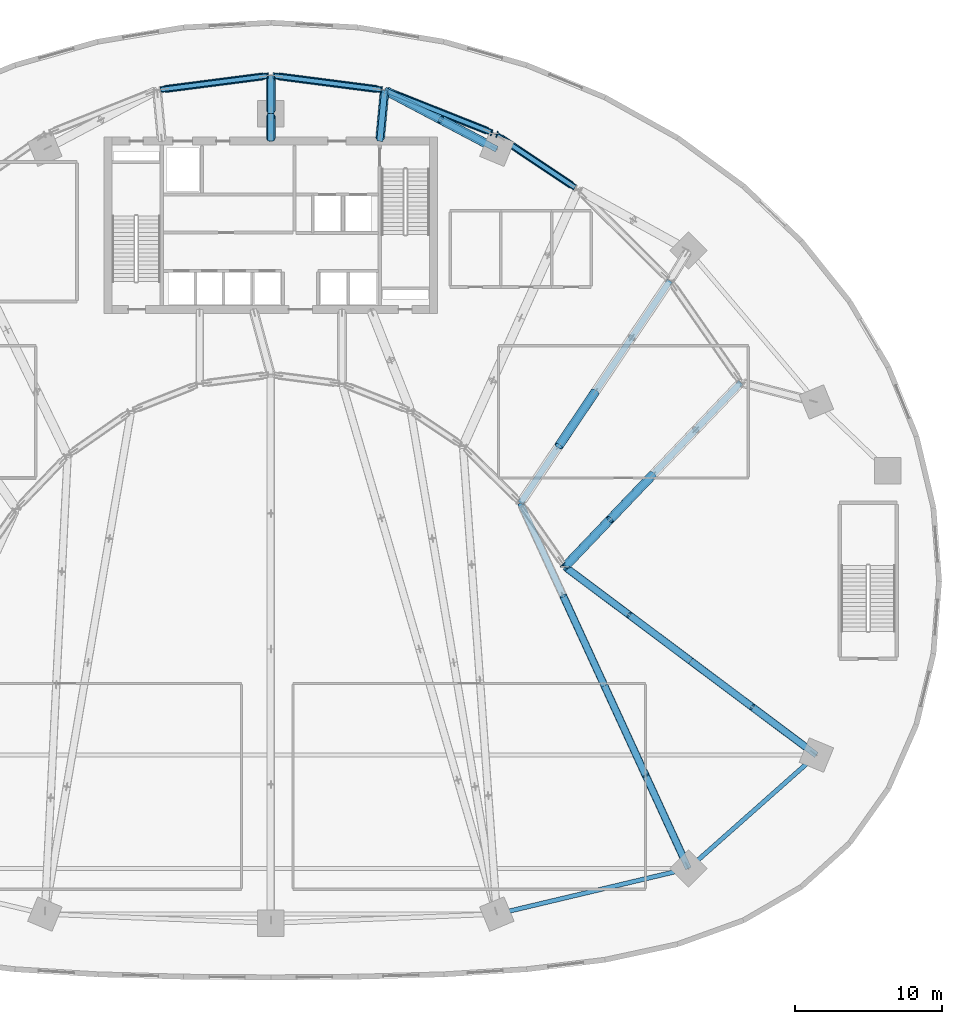
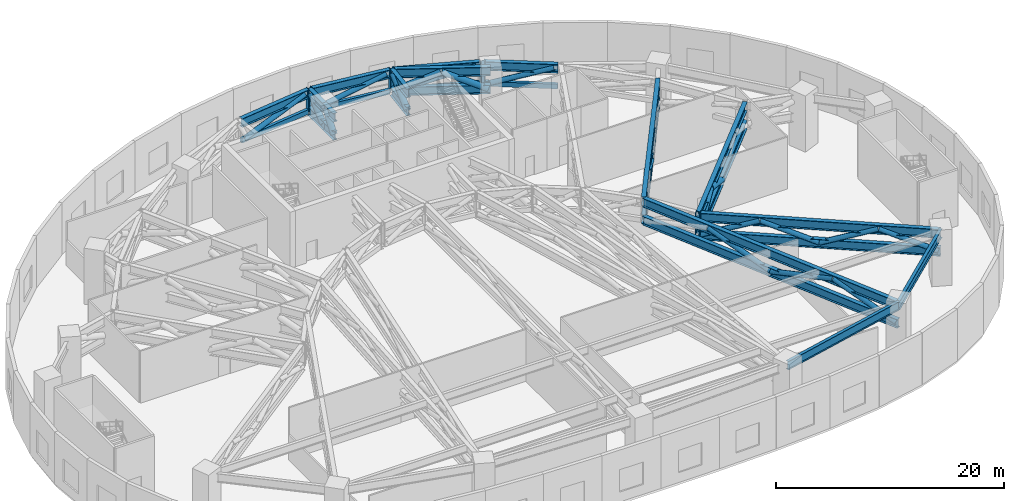
# One storey, part 5 of 19: 27 members, 22 beams.
"""IFC4 building model written with IfcOpenShell, lengths in metres."""

from ifc_helpers import new_model, si_unit, direction, frame, origin, origin_2d, place, context, subcontext, project, spatial, hollow_rectangle, hollow_circle, i_section, extrude, source, transform, mapped, material, material_profile, profile_set, type_object, type_shapes, element, save


model = new_model("IFC4")

# Units and contexts
model_context = context("Model", 3, precision=1e-05, world=origin(), true_north=direction((0.0, 1.0)))
body_context = subcontext(model_context, "Body", "Model", "MODEL_VIEW")
ifc_project = project(units=[si_unit("LENGTHUNIT", "METRE"), si_unit("AREAUNIT", "SQUARE_METRE"), si_unit("VOLUMEUNIT", "CUBIC_METRE"), si_unit("PLANEANGLEUNIT", "RADIAN"), si_unit("MASSUNIT", "GRAM", prefix="KILO")], contexts=[model_context])

# Site, building, storey
site_placement = place(None, origin())
site = spatial("IfcSite", under=ifc_project, at=site_placement, CompositionType="ELEMENT")
building_placement = place(site_placement, origin())
building = spatial("IfcBuilding", under=site, at=building_placement, Name="Breltana Convention Tower", CompositionType="ELEMENT")
storey_placement = place(building_placement, frame((0.0, 0.0, 24.0)))
storey = spatial("IfcBuildingStorey", under=building, at=storey_placement, Name="L04", CompositionType="ELEMENT", Elevation=24.0)

# Members
ifc_material_1 = material(Name="Steel ASTM A992 Grade 50", Category="steel")
ifc_material_profile_1 = material_profile(ifc_material_1, i_section(OverallWidth=0.4208984375, OverallDepth=0.465087890625, WebThickness=0.044921875, FlangeThickness=0.072265625, at=origin_2d()), Name="W14X398")
ifc_profile_set_1 = profile_set([ifc_material_profile_1], Name="Steel ASTM A992 Grade 50")
member_type_1 = type_object("IfcMemberType", Name="MB-TR-POST-W14X398", PredefinedType="POST", material=ifc_profile_set_1)
shared_shape_1 = source(origin(), body_context, "Body", "SweptSolid", [
    extrude(i_section(OverallWidth=0.4208984375, OverallDepth=0.465087890625, WebThickness=0.044921875, FlangeThickness=0.072265625, at=origin_2d()), origin(), (0.0, 0.0, 1.0), 2.406494140625),
])
type_shapes(member_type_1, [shared_shape_1])
for number, where, z_axis, x_axis, name in (
    (1, (48.0, 76.404052734375, 3.1435546875), (0.0, 0.0, 1.0), (0.0, 1.0, 0.0), "L04 Transfer Truss Vertical R06-OUT"),
    (2, (55.746826171875, 75.404296875, 3.1435546875), (0.0, 0.0, 1.0), (0.143492621991, 0.98965138682, 0.0), "L04 Transfer Truss Vertical R07-OUT"),
    (3, (63.208984375, 72.4423828125, 3.1435546875), (0.0, 0.0, 1.0), (0.288697611798, 0.957420330337, 0.0), "L04 Transfer Truss Vertical R08-OUT"),
    (4, (68.015380859375, 42.95458984375, 3.1435546875), (0.0, 0.0, 1.0), (0.690756218984, 0.723087716626, 0.0), "L04 Transfer Truss Vertical R11-IN"),
):
    element("IfcMember", number, at=place(storey_placement, frame(where, z_axis=z_axis, x_axis=x_axis)), inside=storey, type_object=member_type_1, Name=name, PredefinedType="POST", context=body_context, shape_type="MappedRepresentation", body=[
        mapped(shared_shape_1, transform((0.0, 0.0, 0.0), scale=1.0)),
    ])

# Beams
ifc_material_profile_2 = material_profile(ifc_material_1, i_section(OverallWidth=0.423095703125, OverallDepth=0.947998046875, WebThickness=0.02392578125, FlangeThickness=0.042724609375, at=origin_2d()), Name="W36X302")
ifc_profile_set_2 = profile_set([ifc_material_profile_2], Name="Steel ASTM A992 Grade 50")
beam_type_1 = type_object("IfcBeamType", Name="BM-TR-W36X302", PredefinedType="USERDEFINED", material=ifc_profile_set_2)
shared_shape_2 = source(origin(), body_context, "Body", "SweptSolid", [
    extrude(i_section(OverallWidth=0.423095703125, OverallDepth=0.947998046875, WebThickness=0.02392578125, FlangeThickness=0.042724609375, at=origin_2d()), origin(), (0.0, 0.0, 1.0), 21.39013671875),
])
type_shapes(beam_type_1, [shared_shape_2])
beam_1_placement = place(storey_placement, frame((85.139892578125, 30.136962890625, 5.075927734375), z_axis=(-0.800577617042, 0.599229070633, 0.0), x_axis=(-0.599229070633, -0.800577617042, 0.0)))
element("IfcBeam", 5, at=beam_1_placement, inside=storey, type_object=beam_type_1, Name="L04 Transfer Top Chord R11-1", ObjectType="GIRDER", PredefinedType="USERDEFINED", context=body_context, shape_type="MappedRepresentation", body=[
    mapped(shared_shape_2, transform((0.0, 0.0, 0.0), scale=1.0)),
])
ifc_material_profile_3 = material_profile(ifc_material_1, i_section(OverallWidth=0.41796875, OverallDepth=0.927001953125, WebThickness=0.019287109375, FlangeThickness=0.031982421875, at=origin_2d()), Name="W36X231")
ifc_profile_set_3 = profile_set([ifc_material_profile_3], Name="Steel ASTM A992 Grade 50")
beam_type_2 = type_object("IfcBeamType", Name="BM-TR-W36X231", PredefinedType="USERDEFINED", material=ifc_profile_set_3)
shared_shape_3 = source(origin(), body_context, "Body", "SweptSolid", [
    extrude(i_section(OverallWidth=0.41796875, OverallDepth=0.927001953125, WebThickness=0.019287109375, FlangeThickness=0.031982421875, at=origin_2d()), origin(), (0.0, 0.0, 1.0), 21.39013671875),
])
type_shapes(beam_type_2, [shared_shape_3])
beam_2_placement = place(storey_placement, frame((85.139892578125, 30.136962890625, 3.1435546875), z_axis=(-0.800577617042, 0.599229070633, 0.0), x_axis=(-0.599229070633, -0.800577617042, 0.0)))
element("IfcBeam", 6, at=beam_2_placement, inside=storey, type_object=beam_type_2, Name="L04 Transfer Bottom Chord R11-1", ObjectType="GIRDER", PredefinedType="USERDEFINED", context=body_context, shape_type="MappedRepresentation", body=[
    mapped(shared_shape_3, transform((0.0, 0.0, 0.0), scale=1.0)),
])

# Members
ifc_material_2 = material(Name="Steel EN 10210 S355J2H", Category="steel")
ifc_material_profile_4 = material_profile(ifc_material_2, hollow_circle(Radius=0.25390625, WallThickness=0.02001953125, at=origin_2d()), Name="CHS508X20")
ifc_profile_set_4 = profile_set([ifc_material_profile_4], Name="Steel EN 10210 S355J2H")
member_type_2 = type_object("IfcMemberType", Name="MB-BR-CHS508X20", PredefinedType="BRACE", material=ifc_profile_set_4)
shared_shape_4 = source(origin(), body_context, "Body", "SweptSolid", [
    extrude(hollow_circle(Radius=0.25390625, WallThickness=0.02001953125, at=origin_2d()), origin(), (0.0, 0.0, 1.0), 5.582763671875),
])
type_shapes(member_type_2, [shared_shape_4])
for number, where, z_axis, x_axis, name in (
    (7, (84.9638671875, 30.268798828125, 3.1435546875), (-0.751097294585, 0.562175005641, 0.346138869673), (-0.599216605653, -0.800586946877, 0.0), "L04 Transfer Truss Diagonal R11-1.1"),
    (8, (80.770751953125, 33.4072265625, 5.075927734375), (-0.751078828788, 0.562204915453, -0.346130359817), (-0.599246480836, -0.80056458528, 0.0), "L04 Transfer Truss Diagonal R11-1.2"),
    (9, (72.384765625, 39.684326171875, 5.075927734375), (-0.751078828788, 0.562204915453, -0.346130359817), (-0.599246480836, -0.80056458528, 0.0), "L04 Transfer Truss Diagonal R11-1.4"),
):
    element("IfcMember", number, at=place(storey_placement, frame(where, z_axis=z_axis, x_axis=x_axis)), inside=storey, type_object=member_type_2, Name=name, PredefinedType="BRACE", context=body_context, shape_type="MappedRepresentation", body=[
        mapped(shared_shape_4, transform((0.0, 0.0, 0.0), scale=1.0)),
    ])
shared_shape_5 = source(origin(), body_context, "Body", "SweptSolid", [
    extrude(hollow_circle(Radius=0.25390625, WallThickness=0.02001953125, at=origin_2d()), origin(), (0.0, 0.0, 1.0), 5.58251953125),
])
member_1_placement = place(storey_placement, frame((76.57763671875, 36.5458984375, 3.1435546875), z_axis=(-0.751078232924, 0.562193471774, 0.346150239525), x_axis=(-0.599238967918, -0.800570208869, 0.0)))
element("IfcMember", 10, at=member_1_placement, inside=storey, type_object=member_type_2, Name="L04 Transfer Truss Diagonal R11-1.3", PredefinedType="BRACE", context=body_context, shape_type="MappedRepresentation", body=[
    mapped(shared_shape_5, transform((0.0, 0.0, 0.0), scale=1.0)),
])

# Beams
shared_shape_6 = source(origin(), body_context, "Body", "SweptSolid", [
    extrude(i_section(OverallWidth=0.423095703125, OverallDepth=0.947998046875, WebThickness=0.02392578125, FlangeThickness=0.042724609375, at=origin_2d()), origin(), (0.0, 0.0, 1.0), 17.341064453125),
])
beam_3_placement = place(storey_placement, frame((68.015380859375, 42.95458984375, 5.075927734375), z_axis=(0.690716462293, 0.723125693581, 0.0), x_axis=(-0.723125693581, 0.690716462293, 0.0)))
element("IfcBeam", 11, at=beam_3_placement, inside=storey, type_object=beam_type_1, Name="L04 Transfer Top Chord R11-2", ObjectType="GIRDER", PredefinedType="USERDEFINED", context=body_context, shape_type="MappedRepresentation", body=[
    mapped(shared_shape_6, transform((0.0, 0.0, 0.0), scale=1.0)),
])
shared_shape_7 = source(origin(), body_context, "Body", "SweptSolid", [
    extrude(i_section(OverallWidth=0.41796875, OverallDepth=0.927001953125, WebThickness=0.019287109375, FlangeThickness=0.031982421875, at=origin_2d()), origin(), (0.0, 0.0, 1.0), 17.341064453125),
])
beam_4_placement = place(storey_placement, frame((68.015380859375, 42.95458984375, 3.1435546875), z_axis=(0.690716462293, 0.723125693581, 0.0), x_axis=(-0.723125693581, 0.690716462293, 0.0)))
element("IfcBeam", 12, at=beam_4_placement, inside=storey, type_object=beam_type_2, Name="L04 Transfer Bottom Chord R11-2", ObjectType="GIRDER", PredefinedType="USERDEFINED", context=body_context, shape_type="MappedRepresentation", body=[
    mapped(shared_shape_7, transform((0.0, 0.0, 0.0), scale=1.0)),
])

# Members
ifc_material_profile_5 = material_profile(ifc_material_2, hollow_circle(Radius=0.304931640625, WallThickness=0.02490234375, at=origin_2d()), Name="CHS610X25")
ifc_profile_set_5 = profile_set([ifc_material_profile_5], Name="Steel EN 10210 S355J2H")
member_type_3 = type_object("IfcMemberType", Name="MB-BR-CHS610X25", PredefinedType="BRACE", material=ifc_profile_set_5)
shared_shape_8 = source(origin(), body_context, "Body", "SweptSolid", [
    extrude(hollow_circle(Radius=0.304931640625, WallThickness=0.02490234375, at=origin_2d()), origin(), (0.0, 0.0, 1.0), 4.646240234375),
])
type_shapes(member_type_3, [shared_shape_8])
for number, where, z_axis, x_axis, name in (
    (13, (68.16748046875, 43.11376953125, 3.1435546875), (0.628140326004, 0.657618887397, 0.415905193268), (-0.723128566496, 0.690713454566, 0.0), "L04 Transfer Truss Diagonal R11-2.1"),
    (14, (71.0859375, 46.169189453125, 5.075927734375), (0.628140326004, 0.657618887397, -0.415905193268), (-0.723128566496, 0.690713454566, 0.0), "L04 Transfer Truss Diagonal R11-2.2"),
):
    element("IfcMember", number, at=place(storey_placement, frame(where, z_axis=z_axis, x_axis=x_axis)), inside=storey, type_object=member_type_3, Name=name, PredefinedType="BRACE", context=body_context, shape_type="MappedRepresentation", body=[
        mapped(shared_shape_8, transform((0.0, 0.0, 0.0), scale=1.0)),
    ])

# Beams
shared_shape_9 = source(origin(), body_context, "Body", "SweptSolid", [
    extrude(i_section(OverallWidth=0.423095703125, OverallDepth=0.947998046875, WebThickness=0.02392578125, FlangeThickness=0.042724609375, at=origin_2d()), origin(), (0.0, 0.0, 1.0), 3.49462890625),
])
beam_5_placement = place(storey_placement, frame((55.419921875, 71.925048828125, 5.075927734375), z_axis=(0.09354630491, 0.995614929999, 0.0), x_axis=(-0.995614929999, 0.09354630491, 0.0)))
element("IfcBeam", 15, at=beam_5_placement, inside=storey, type_object=beam_type_1, Name="L04 Transfer Top Chord R07-3", ObjectType="GIRDER", PredefinedType="USERDEFINED", context=body_context, shape_type="MappedRepresentation", body=[
    mapped(shared_shape_9, transform((0.0, 0.0, 0.0), scale=1.0)),
])
shared_shape_10 = source(origin(), body_context, "Body", "SweptSolid", [
    extrude(i_section(OverallWidth=0.41796875, OverallDepth=0.927001953125, WebThickness=0.019287109375, FlangeThickness=0.031982421875, at=origin_2d()), origin(), (0.0, 0.0, 1.0), 3.49462890625),
])
beam_6_placement = place(storey_placement, frame((55.419921875, 71.925048828125, 3.1435546875), z_axis=(0.09354630491, 0.995614929999, 0.0), x_axis=(-0.995614929999, 0.09354630491, 0.0)))
element("IfcBeam", 16, at=beam_6_placement, inside=storey, type_object=beam_type_2, Name="L04 Transfer Bottom Chord R07-3", ObjectType="GIRDER", PredefinedType="USERDEFINED", context=body_context, shape_type="MappedRepresentation", body=[
    mapped(shared_shape_10, transform((0.0, 0.0, 0.0), scale=1.0)),
])

# Member
shared_shape_11 = source(origin(), body_context, "Body", "SweptSolid", [
    extrude(hollow_circle(Radius=0.304931640625, WallThickness=0.02490234375, at=origin_2d()), origin(), (0.0, 0.0, 1.0), 3.614501953125),
])
member_2_placement = place(storey_placement, frame((55.440673828125, 72.14404296875, 3.1435546875), z_axis=(0.079026463467, 0.841395431976, 0.534610648157), x_axis=(-0.995618195575, 0.093511542813, 0.0)))
element("IfcMember", 17, at=member_2_placement, inside=storey, type_object=member_type_3, Name="L04 Transfer Truss Diagonal R07-3.1", PredefinedType="BRACE", context=body_context, shape_type="MappedRepresentation", body=[
    mapped(shared_shape_11, transform((0.0, 0.0, 0.0), scale=1.0)),
])

# Beams
shared_shape_12 = source(origin(), body_context, "Body", "SweptSolid", [
    extrude(i_section(OverallWidth=0.423095703125, OverallDepth=0.947998046875, WebThickness=0.02392578125, FlangeThickness=0.042724609375, at=origin_2d()), origin(), (0.0, 0.0, 1.0), 8.632568359375),
])
beam_7_placement = place(storey_placement, frame((55.746826171875, 75.404296875, 5.075927734375), z_axis=(0.88465797279, -0.466240572214, 0.0), x_axis=(0.466240572214, 0.88465797279, 0.0)))
element("IfcBeam", 18, at=beam_7_placement, inside=storey, type_object=beam_type_1, Name="L04 Transfer Top Chord R07-4", ObjectType="GIRDER", PredefinedType="USERDEFINED", context=body_context, shape_type="MappedRepresentation", body=[
    mapped(shared_shape_12, transform((0.0, 0.0, 0.0), scale=1.0)),
])
shared_shape_13 = source(origin(), body_context, "Body", "SweptSolid", [
    extrude(i_section(OverallWidth=0.41796875, OverallDepth=0.927001953125, WebThickness=0.019287109375, FlangeThickness=0.031982421875, at=origin_2d()), origin(), (0.0, 0.0, 1.0), 8.632568359375),
])
beam_8_placement = place(storey_placement, frame((55.746826171875, 75.404296875, 3.1435546875), z_axis=(0.88465797279, -0.466240572214, 0.0), x_axis=(0.466240572214, 0.88465797279, 0.0)))
element("IfcBeam", 19, at=beam_8_placement, inside=storey, type_object=beam_type_2, Name="L04 Transfer Bottom Chord R07-4", ObjectType="GIRDER", PredefinedType="USERDEFINED", context=body_context, shape_type="MappedRepresentation", body=[
    mapped(shared_shape_13, transform((0.0, 0.0, 0.0), scale=1.0)),
])

# Members
shared_shape_14 = source(origin(), body_context, "Body", "SweptSolid", [
    extrude(hollow_circle(Radius=0.304931640625, WallThickness=0.02490234375, at=origin_2d()), origin(), (0.0, 0.0, 1.0), 4.529296875),
])
for number, where, z_axis, x_axis, name in (
    (20, (55.94140625, 75.3017578125, 3.1435546875), (0.800093481035, -0.421689099382, 0.426648245125), (0.466254834965, 0.884650455757, 0.0), "L04 Transfer Truss Diagonal R07-4.1"),
    (21, (59.565185546875, 73.391845703125, 5.075927734375), (0.80011287707, -0.42167091332, -0.42662984519), (0.466230252504, 0.884663411502, 0.0), "L04 Transfer Truss Diagonal R07-4.2"),
):
    element("IfcMember", number, at=place(storey_placement, frame(where, z_axis=z_axis, x_axis=x_axis)), inside=storey, type_object=member_type_3, Name=name, PredefinedType="BRACE", context=body_context, shape_type="MappedRepresentation", body=[
        mapped(shared_shape_14, transform((0.0, 0.0, 0.0), scale=1.0)),
    ])

# Beams
shared_shape_15 = source(origin(), body_context, "Body", "SweptSolid", [
    extrude(i_section(OverallWidth=0.423095703125, OverallDepth=0.947998046875, WebThickness=0.02392578125, FlangeThickness=0.042724609375, at=origin_2d()), origin(), (0.0, 0.0, 1.0), 1.875),
])
beam_9_placement = place(storey_placement, frame((48.0, 71.925048828125, 5.075927734375), z_axis=(0.0, 1.0, 0.0), x_axis=(-1.0, 0.0, 0.0)))
element("IfcBeam", 22, at=beam_9_placement, inside=storey, type_object=beam_type_1, Name="L04 Transfer Top Chord R06-3", ObjectType="GIRDER", PredefinedType="USERDEFINED", context=body_context, shape_type="MappedRepresentation", body=[
    mapped(shared_shape_15, transform((0.0, 0.0, 0.0), scale=1.0)),
])
shared_shape_16 = source(origin(), body_context, "Body", "SweptSolid", [
    extrude(i_section(OverallWidth=0.41796875, OverallDepth=0.927001953125, WebThickness=0.019287109375, FlangeThickness=0.031982421875, at=origin_2d()), origin(), (0.0, 0.0, 1.0), 1.875),
])
beam_10_placement = place(storey_placement, frame((48.0, 71.925048828125, 3.1435546875), z_axis=(0.0, 1.0, 0.0), x_axis=(-1.0, 0.0, 0.0)))
element("IfcBeam", 23, at=beam_10_placement, inside=storey, type_object=beam_type_2, Name="L04 Transfer Bottom Chord R06-3", ObjectType="GIRDER", PredefinedType="USERDEFINED", context=body_context, shape_type="MappedRepresentation", body=[
    mapped(shared_shape_16, transform((0.0, 0.0, 0.0), scale=1.0)),
])

# Member
shared_shape_17 = source(origin(), body_context, "Body", "SweptSolid", [
    extrude(hollow_circle(Radius=0.304931640625, WallThickness=0.02490234375, at=origin_2d()), origin(), (0.0, 0.0, 1.0), 2.406982421875),
])
member_3_placement = place(storey_placement, frame((48.0, 72.14501953125, 3.1435546875), z_axis=(0.0, 0.596211946455, 0.802827076589), x_axis=(-1.0, 0.0, 0.0)))
element("IfcMember", 24, at=member_3_placement, inside=storey, type_object=member_type_3, Name="L04 Transfer Truss Diagonal R06-3.1", PredefinedType="BRACE", context=body_context, shape_type="MappedRepresentation", body=[
    mapped(shared_shape_17, transform((0.0, 0.0, 0.0), scale=1.0)),
])

# Beams
shared_shape_18 = source(origin(), body_context, "Body", "SweptSolid", [
    extrude(i_section(OverallWidth=0.423095703125, OverallDepth=0.947998046875, WebThickness=0.02392578125, FlangeThickness=0.042724609375, at=origin_2d()), origin(), (0.0, 0.0, 1.0), 2.60400390625),
])
beam_11_placement = place(storey_placement, frame((48.0, 73.800048828125, 5.075927734375), z_axis=(0.0, 1.0, 0.0), x_axis=(-1.0, 0.0, 0.0)))
element("IfcBeam", 25, at=beam_11_placement, inside=storey, type_object=beam_type_1, Name="L04 Transfer Top Chord R06-4", ObjectType="GIRDER", PredefinedType="USERDEFINED", context=body_context, shape_type="MappedRepresentation", body=[
    mapped(shared_shape_18, transform((0.0, 0.0, 0.0), scale=1.0)),
])
shared_shape_19 = source(origin(), body_context, "Body", "SweptSolid", [
    extrude(i_section(OverallWidth=0.41796875, OverallDepth=0.927001953125, WebThickness=0.019287109375, FlangeThickness=0.031982421875, at=origin_2d()), origin(), (0.0, 0.0, 1.0), 2.60400390625),
])
beam_12_placement = place(storey_placement, frame((48.0, 73.800048828125, 3.1435546875), z_axis=(0.0, 1.0, 0.0), x_axis=(-1.0, 0.0, 0.0)))
element("IfcBeam", 26, at=beam_12_placement, inside=storey, type_object=beam_type_2, Name="L04 Transfer Bottom Chord R06-4", ObjectType="GIRDER", PredefinedType="USERDEFINED", context=body_context, shape_type="MappedRepresentation", body=[
    mapped(shared_shape_19, transform((0.0, 0.0, 0.0), scale=1.0)),
])

# Member
shared_shape_20 = source(origin(), body_context, "Body", "SweptSolid", [
    extrude(hollow_circle(Radius=0.304931640625, WallThickness=0.02490234375, at=origin_2d()), origin(), (0.0, 0.0, 1.0), 2.9013671875),
])
member_4_placement = place(storey_placement, frame((48.0, 74.02001953125, 3.1435546875), z_axis=(0.0, 0.745907799184, 0.666049213734), x_axis=(-1.0, 0.0, 0.0)))
element("IfcMember", 27, at=member_4_placement, inside=storey, type_object=member_type_3, Name="L04 Transfer Truss Diagonal R06-4.1", PredefinedType="BRACE", context=body_context, shape_type="MappedRepresentation", body=[
    mapped(shared_shape_20, transform((0.0, 0.0, 0.0), scale=1.0)),
])

# Beams
shared_shape_21 = source(origin(), body_context, "Body", "SweptSolid", [
    extrude(i_section(OverallWidth=0.423095703125, OverallDepth=0.947998046875, WebThickness=0.02392578125, FlangeThickness=0.042724609375, at=origin_2d()), origin(), (0.0, 0.0, 1.0), 27.38134765625),
])
beam_13_placement = place(storey_placement, frame((76.42578125, 22.412109375, 5.075927734375), z_axis=(-0.417435303998, 0.90870664517, 0.0), x_axis=(-0.90870664517, -0.417435303998, 0.0)))
element("IfcBeam", 28, at=beam_13_placement, inside=storey, type_object=beam_type_1, Name="L04 Transfer Top Chord R10-1", ObjectType="GIRDER", PredefinedType="USERDEFINED", context=body_context, shape_type="MappedRepresentation", body=[
    mapped(shared_shape_21, transform((0.0, 0.0, 0.0), scale=1.0)),
])
shared_shape_22 = source(origin(), body_context, "Body", "SweptSolid", [
    extrude(i_section(OverallWidth=0.41796875, OverallDepth=0.927001953125, WebThickness=0.019287109375, FlangeThickness=0.031982421875, at=origin_2d()), origin(), (0.0, 0.0, 1.0), 27.38134765625),
])
beam_14_placement = place(storey_placement, frame((76.42578125, 22.412109375, 3.1435546875), z_axis=(-0.417435303998, 0.90870664517, 0.0), x_axis=(-0.90870664517, -0.417435303998, 0.0)))
element("IfcBeam", 29, at=beam_14_placement, inside=storey, type_object=beam_type_2, Name="L04 Transfer Bottom Chord R10-1", ObjectType="GIRDER", PredefinedType="USERDEFINED", context=body_context, shape_type="MappedRepresentation", body=[
    mapped(shared_shape_22, transform((0.0, 0.0, 0.0), scale=1.0)),
])

# Members
shared_shape_23 = source(origin(), body_context, "Body", "SweptSolid", [
    extrude(hollow_circle(Radius=0.25390625, WallThickness=0.02001953125, at=origin_2d()), origin(), (0.0, 0.0, 1.0), 7.007080078125),
])
for number, where, z_axis, x_axis, name in (
    (30, (76.333984375, 22.612060546875, 3.1435546875), (-0.401276221852, 0.873456074118, 0.275775053917), (-0.908693196263, -0.417464579415, 0.0), "L04 Transfer Truss Diagonal R10-1.1"),
    (31, (73.522216796875, 28.732421875, 5.075927734375), (-0.401246989523, 0.873468285893, -0.275778909523), (-0.908706946436, -0.417434648177, 0.0), "L04 Transfer Truss Diagonal R10-1.2"),
    (32, (70.710693359375, 34.852783203125, 3.1435546875), (-0.401205545328, 0.873488755656, 0.2757743718), (-0.908727011233, -0.417390966667, 0.0), "L04 Transfer Truss Diagonal R10-1.3"),
):
    element("IfcMember", number, at=place(storey_placement, frame(where, z_axis=z_axis, x_axis=x_axis)), inside=storey, type_object=member_type_2, Name=name, PredefinedType="BRACE", context=body_context, shape_type="MappedRepresentation", body=[
        mapped(shared_shape_23, transform((0.0, 0.0, 0.0), scale=1.0)),
    ])

# Beams
shared_shape_24 = source(origin(), body_context, "Body", "SweptSolid", [
    extrude(i_section(OverallWidth=0.423095703125, OverallDepth=0.947998046875, WebThickness=0.02392578125, FlangeThickness=0.042724609375, at=origin_2d()), origin(), (0.0, 0.0, 1.0), 18.236328125),
])
beam_15_placement = place(storey_placement, frame((64.995849609375, 47.293701171875, 5.075927734375), z_axis=(0.557730360975, 0.830022195153, 0.0), x_axis=(-0.830022195153, 0.557730360975, 0.0)))
element("IfcBeam", 33, at=beam_15_placement, inside=storey, type_object=beam_type_1, Name="L04 Transfer Top Chord R10-2", ObjectType="GIRDER", PredefinedType="USERDEFINED", context=body_context, shape_type="MappedRepresentation", body=[
    mapped(shared_shape_24, transform((0.0, 0.0, 0.0), scale=1.0)),
])
shared_shape_25 = source(origin(), body_context, "Body", "SweptSolid", [
    extrude(i_section(OverallWidth=0.41796875, OverallDepth=0.927001953125, WebThickness=0.019287109375, FlangeThickness=0.031982421875, at=origin_2d()), origin(), (0.0, 0.0, 1.0), 18.236328125),
])
beam_16_placement = place(storey_placement, frame((64.995849609375, 47.293701171875, 3.1435546875), z_axis=(0.557730360975, 0.830022195153, 0.0), x_axis=(-0.830022195153, 0.557730360975, 0.0)))
element("IfcBeam", 34, at=beam_16_placement, inside=storey, type_object=beam_type_2, Name="L04 Transfer Bottom Chord R10-2", ObjectType="GIRDER", PredefinedType="USERDEFINED", context=body_context, shape_type="MappedRepresentation", body=[
    mapped(shared_shape_25, transform((0.0, 0.0, 0.0), scale=1.0)),
])

# Member
shared_shape_26 = source(origin(), body_context, "Body", "SweptSolid", [
    extrude(hollow_circle(Radius=0.304931640625, WallThickness=0.02490234375, at=origin_2d()), origin(), (0.0, 0.0, 1.0), 4.850341796875),
])
member_5_placement = place(storey_placement, frame((67.60009765625, 51.169189453125, 5.075927734375), z_axis=(0.511550698512, 0.761311061202, -0.398398482606), x_axis=(-0.830026974116, 0.557723248789, 0.0)))
element("IfcMember", 35, at=member_5_placement, inside=storey, type_object=member_type_3, Name="L04 Transfer Truss Diagonal R10-2.2", PredefinedType="BRACE", context=body_context, shape_type="MappedRepresentation", body=[
    mapped(shared_shape_26, transform((0.0, 0.0, 0.0), scale=1.0)),
])

# Beam
shared_shape_27 = source(origin(), body_context, "Body", "SweptSolid", [
    extrude(i_section(OverallWidth=0.41796875, OverallDepth=0.927001953125, WebThickness=0.019287109375, FlangeThickness=0.031982421875, at=origin_2d()), origin(), (0.0, 0.0, 1.0), 7.58837890625),
])
beam_17_placement = place(storey_placement, frame((55.951416015625, 75.3232421875, 5.075927734375), z_axis=(0.929456390757, -0.368931996013, 0.0), x_axis=(0.368931996013, 0.929456390757, 0.0)))
element("IfcBeam", 36, at=beam_17_placement, inside=storey, type_object=beam_type_2, Name="L04 Transfer Ring Top Chord OUT-07", ObjectType="GIRDER", PredefinedType="USERDEFINED", context=body_context, shape_type="MappedRepresentation", body=[
    mapped(shared_shape_27, transform((0.0, 0.0, 0.0), scale=1.0)),
])

# Members
ifc_material_profile_6 = material_profile(ifc_material_2, hollow_rectangle(XDim=0.300048828125, YDim=0.5, WallThickness=0.01611328125, at=origin_2d()), Name="RHS500X300X16")
ifc_profile_set_6 = profile_set([ifc_material_profile_6], Name="Steel EN 10210 S355J2H")
member_type_4 = type_object("IfcMemberType", Name="MB-CH-RHS500X300X16", PredefinedType="CHORD", material=ifc_profile_set_6)
shared_shape_28 = source(origin(), body_context, "Body", "SweptSolid", [
    extrude(hollow_rectangle(XDim=0.300048828125, YDim=0.5, WallThickness=0.01611328125, at=origin_2d()), origin(), (0.0, 0.0, 1.0), 7.5283203125),
])
member_6_placement = place(storey_placement, frame((55.979248046875, 75.312255859375, 3.1435546875), z_axis=(0.929450822303, -0.3689460244, 0.0), x_axis=(0.3689460244, 0.929450822303, 0.0)))
element("IfcMember", 37, at=member_6_placement, inside=storey, type_object=member_type_4, Name="L04 Transfer Ring Bottom Chord OUT-07", PredefinedType="CHORD", context=body_context, shape_type="MappedRepresentation", body=[
    mapped(shared_shape_28, transform((0.0, 0.0, 0.0), scale=1.0)),
])
shared_shape_29 = source(origin(), body_context, "Body", "SweptSolid", [
    extrude(hollow_circle(Radius=0.25390625, WallThickness=0.02001953125, at=origin_2d()), origin(), (0.0, 0.0, 1.0), 7.19287109375),
])
member_7_placement = place(storey_placement, frame((56.258056640625, 75.201416015625, 3.1435546875), z_axis=(0.895297164713, -0.355342382279, 0.268653639864), x_axis=(0.36890447422, 0.929467314595, 0.0)))
element("IfcMember", 38, at=member_7_placement, inside=storey, type_object=member_type_2, Name="L04 Transfer Belt Brace OUT-07", PredefinedType="BRACE", context=body_context, shape_type="MappedRepresentation", body=[
    mapped(shared_shape_29, transform((0.0, 0.0, 0.0), scale=1.0)),
])

# Beams
shared_shape_30 = source(origin(), body_context, "Body", "SweptSolid", [
    extrude(i_section(OverallWidth=0.41796875, OverallDepth=0.927001953125, WebThickness=0.019287109375, FlangeThickness=0.031982421875, at=origin_2d()), origin(), (0.0, 0.0, 1.0), 7.370849609375),
])
for number, where, z_axis, x_axis, name in (
    (39, (40.471435546875, 75.4326171875, 5.075927734375), (0.991780442987, 0.12795136931, 0.0), (-0.12795136931, 0.991780442987, 0.0), "L04 Transfer Ring Top Chord OUT-05"),
    (40, (48.21826171875, 76.375732421875, 5.075927734375), (0.991780442987, -0.12795136931, 0.0), (0.12795136931, 0.991780442987, 0.0), "L04 Transfer Ring Top Chord OUT-06"),
):
    element("IfcBeam", number, at=place(storey_placement, frame(where, z_axis=z_axis, x_axis=x_axis)), inside=storey, type_object=beam_type_2, Name=name, ObjectType="GIRDER", PredefinedType="USERDEFINED", context=body_context, shape_type="MappedRepresentation", body=[
        mapped(shared_shape_30, transform((0.0, 0.0, 0.0), scale=1.0)),
    ])

# Members
shared_shape_31 = source(origin(), body_context, "Body", "SweptSolid", [
    extrude(hollow_rectangle(XDim=0.300048828125, YDim=0.5, WallThickness=0.01611328125, at=origin_2d()), origin(), (0.0, 0.0, 1.0), 7.31103515625),
])
for number, where, z_axis, x_axis, name in (
    (41, (40.501220703125, 75.436279296875, 3.1435546875), (0.991774721847, 0.127995707368, 0.0), (-0.127995707368, 0.991774721847, 0.0), "L04 Transfer Ring Bottom Chord OUT-05"),
    (42, (48.247802734375, 76.3720703125, 3.1435546875), (0.991774721847, -0.127995707368, 0.0), (0.127995707368, 0.991774721847, 0.0), "L04 Transfer Ring Bottom Chord OUT-06"),
):
    element("IfcMember", number, at=place(storey_placement, frame(where, z_axis=z_axis, x_axis=x_axis)), inside=storey, type_object=member_type_4, Name=name, PredefinedType="CHORD", context=body_context, shape_type="MappedRepresentation", body=[
        mapped(shared_shape_31, transform((0.0, 0.0, 0.0), scale=1.0)),
    ])
shared_shape_32 = source(origin(), body_context, "Body", "SweptSolid", [
    extrude(hollow_circle(Radius=0.25390625, WallThickness=0.02001953125, at=origin_2d()), origin(), (0.0, 0.0, 1.0), 6.98388671875),
])
for number, where, z_axis, x_axis, name in (
    (43, (40.798583984375, 75.474853515625, 3.1435546875), (0.953060864485, 0.122947403455, 0.276692834332), (-0.127942480685, 0.991781589684, 0.0), "L04 Transfer Belt Brace OUT-05"),
    (44, (48.54541015625, 76.33349609375, 3.1435546875), (0.953060864485, -0.122947403455, 0.276692834332), (0.127942480685, 0.991781589684, 0.0), "L04 Transfer Belt Brace OUT-06"),
):
    element("IfcMember", number, at=place(storey_placement, frame(where, z_axis=z_axis, x_axis=x_axis)), inside=storey, type_object=member_type_2, Name=name, PredefinedType="BRACE", context=body_context, shape_type="MappedRepresentation", body=[
        mapped(shared_shape_32, transform((0.0, 0.0, 0.0), scale=1.0)),
    ])

# Beam
shared_shape_33 = source(origin(), body_context, "Body", "SweptSolid", [
    extrude(i_section(OverallWidth=0.41796875, OverallDepth=0.927001953125, WebThickness=0.019287109375, FlangeThickness=0.031982421875, at=origin_2d()), origin(), (0.0, 0.0, 1.0), 6.4169921875),
])
beam_18_placement = place(storey_placement, frame((63.391845703125, 72.3203125, 5.075927734375), z_axis=(0.831505536539, -0.555516464837, 0.0), x_axis=(0.555516464837, 0.831505536539, 0.0)))
element("IfcBeam", 45, at=beam_18_placement, inside=storey, type_object=beam_type_2, Name="L04 Transfer Ring Top Chord OUT-08", ObjectType="GIRDER", PredefinedType="USERDEFINED", context=body_context, shape_type="MappedRepresentation", body=[
    mapped(shared_shape_33, transform((0.0, 0.0, 0.0), scale=1.0)),
])

# Members
shared_shape_34 = source(origin(), body_context, "Body", "SweptSolid", [
    extrude(hollow_rectangle(XDim=0.300048828125, YDim=0.5, WallThickness=0.01611328125, at=origin_2d()), origin(), (0.0, 0.0, 1.0), 6.35693359375),
])
member_8_placement = place(storey_placement, frame((63.4169921875, 72.3037109375, 3.1435546875), z_axis=(0.831488550777, -0.555541888544, 0.0), x_axis=(0.555541888544, 0.831488550777, 0.0)))
element("IfcMember", 46, at=member_8_placement, inside=storey, type_object=member_type_4, Name="L04 Transfer Ring Bottom Chord OUT-08", PredefinedType="CHORD", context=body_context, shape_type="MappedRepresentation", body=[
    mapped(shared_shape_34, transform((0.0, 0.0, 0.0), scale=1.0)),
])
shared_shape_35 = source(origin(), body_context, "Body", "SweptSolid", [
    extrude(hollow_circle(Radius=0.25390625, WallThickness=0.02001953125, at=origin_2d()), origin(), (0.0, 0.0, 1.0), 6.07275390625),
])
member_9_placement = place(storey_placement, frame((63.666259765625, 72.136962890625, 3.1435546875), z_axis=(0.78826821138, -0.526664638602, 0.318209970575), x_axis=(0.55554154321, 0.831488781505, 0.0)))
element("IfcMember", 47, at=member_9_placement, inside=storey, type_object=member_type_2, Name="L04 Transfer Belt Brace OUT-08", PredefinedType="BRACE", context=body_context, shape_type="MappedRepresentation", body=[
    mapped(shared_shape_35, transform((0.0, 0.0, 0.0), scale=1.0)),
])

# Beams
ifc_material_profile_7 = material_profile(ifc_material_1, i_section(OverallWidth=0.304931640625, OverallDepth=0.9189453125, WebThickness=0.017333984375, FlangeThickness=0.02783203125, at=origin_2d()), Name="W36X170")
ifc_profile_set_7 = profile_set([ifc_material_profile_7], Name="Steel ASTM A992 Grade 50")
beam_type_3 = type_object("IfcBeamType", Name="BM-PD-W36X170", PredefinedType="USERDEFINED", material=ifc_profile_set_7)
shared_shape_36 = source(origin(), body_context, "Body", "SweptSolid", [
    extrude(i_section(OverallWidth=0.304931640625, OverallDepth=0.9189453125, WebThickness=0.017333984375, FlangeThickness=0.02783203125, at=origin_2d()), origin(), (0.0, 0.0, 1.0), 11.64501953125),
])
beam_19_placement = place(storey_placement, frame((76.42578125, 22.412109375, 5.090576171875), z_axis=(0.748305074373, 0.663354743458, 0.0), x_axis=(-0.663354743458, 0.748305074373, 0.0)))
element("IfcBeam", 48, at=beam_19_placement, inside=storey, type_object=beam_type_3, Name="L04 Garden Deck Perimeter Girder 15", ObjectType="GIRDER", PredefinedType="USERDEFINED", context=body_context, shape_type="MappedRepresentation", body=[
    mapped(shared_shape_36, transform((0.0, 0.0, 0.0), scale=1.0)),
])
shared_shape_37 = source(origin(), body_context, "Body", "SweptSolid", [
    extrude(i_section(OverallWidth=0.304931640625, OverallDepth=0.9189453125, WebThickness=0.017333984375, FlangeThickness=0.02783203125, at=origin_2d()), origin(), (0.0, 0.0, 1.0), 13.4052734375),
])
beam_20_placement = place(storey_placement, frame((63.3837890625, 19.3125, 5.090576171875), z_axis=(0.972900712446, 0.231223276773, 0.0), x_axis=(-0.231223276773, 0.972900712446, 0.0)))
element("IfcBeam", 49, at=beam_20_placement, inside=storey, type_object=beam_type_3, Name="L04 Garden Deck Perimeter Girder 14", ObjectType="GIRDER", PredefinedType="USERDEFINED", context=body_context, shape_type="MappedRepresentation", body=[
    mapped(shared_shape_37, transform((0.0, 0.0, 0.0), scale=1.0)),
])

save(model, "model.ifc")
